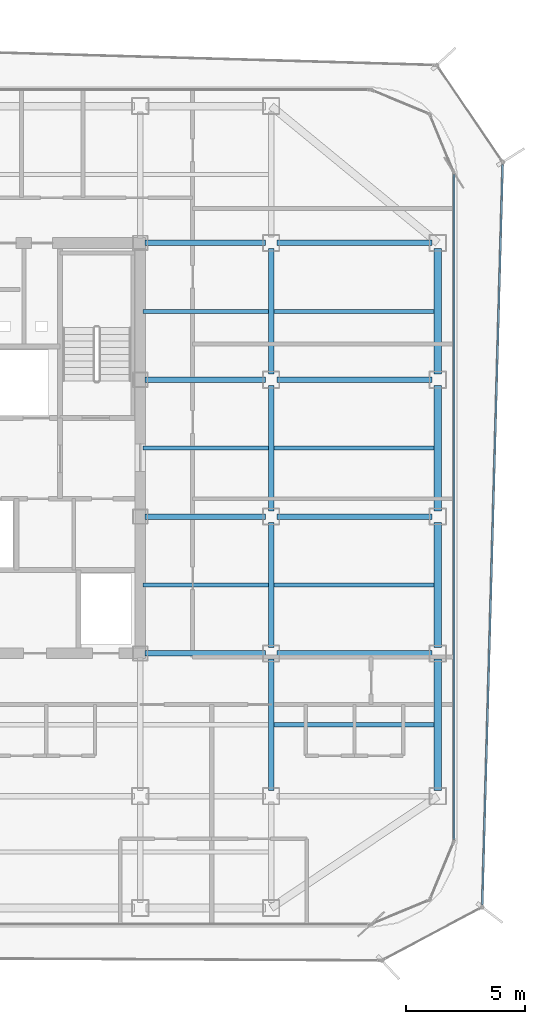
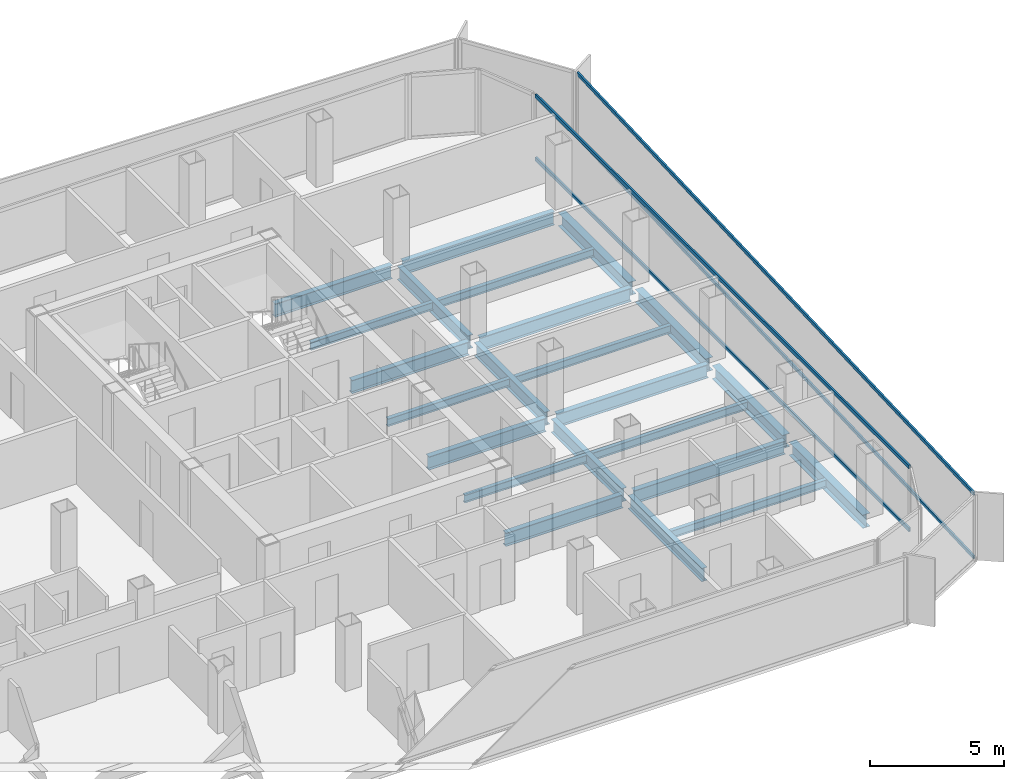
# One storey, part 5 of 16: 23 beams, 4 members, 2 elements without a shape of their own.
"""IFC4 building model written with IfcOpenShell, lengths in metres."""

import ifcopenshell
import ifcopenshell.guid

model = None  # the IFC model being written
_history = None  # IfcOwnerHistory: only IFC2X3 demands one
_inside = {}  # id of a spatial element -> (the spatial element, [elements in it])
_under = {}  # id of a project, library or spatial element -> (it, [spatial elements below it])
_declared = {}  # id of a project -> (the project, [libraries it declares])
_typed = {}  # id of a type object -> (the type object, [elements of that type])
_made_of = {}  # id of a material, layer set ... -> (it, [elements and type objects made of it])


def new_model(schema):
    """Start an empty IFC model of exactly this schema.

    Asked for "IFC4X3", IfcOpenShell would pick the latest addendum, in which some entities
    have other attributes; the version numbers below select the first issue.
    IFC2X3 requires an IfcOwnerHistory on every rooted entity: one is made here for all.
    """
    global model, _history
    if schema == "IFC4X3":
        model = ifcopenshell.file(schema_version=(4, 3, 0, 0))
    else:
        model = ifcopenshell.file(schema=schema)
    _inside.clear()
    _under.clear()
    _declared.clear()
    _typed.clear()
    _made_of.clear()
    _history = None
    if model.schema == "IFC2X3":
        org = make("IfcOrganization", Name="unknown")
        user = make(
            "IfcPersonAndOrganization",
            ThePerson=make("IfcPerson", FamilyName="unknown"),
            TheOrganization=org,
        )
        app = make(
            "IfcApplication",
            ApplicationDeveloper=org,
            Version="unknown",
            ApplicationFullName="unknown",
            ApplicationIdentifier="unknown",
        )
        _history = make(
            "IfcOwnerHistory",
            OwningUser=user,
            OwningApplication=app,
            ChangeAction="ADDED",
            CreationDate=0,
        )
    return model


def make(cls, **values):
    """One entity of the class cls with the attributes given. An attribute that is None is left unset."""
    return model.create_entity(
        cls, **{name: value for name, value in values.items() if value is not None}
    )


def rooted(cls, **values):
    """An entity with a GlobalId (a new one), such as an element, a storey or a relation."""
    return make(cls, GlobalId=ifcopenshell.guid.new(), OwnerHistory=_history, **values)


def si_unit(unit_type, name, prefix=None):
    """IfcSIUnit, for example si_unit("LENGTHUNIT", "METRE", prefix="MILLI")."""
    return make("IfcSIUnit", UnitType=unit_type, Prefix=prefix, Name=name)


def assignment(units):
    """IfcUnitAssignment: the units of a project."""
    return None if units is None else make("IfcUnitAssignment", Units=units)


def point(xyz):
    """IfcCartesianPoint."""
    return None if xyz is None else make("IfcCartesianPoint", Coordinates=xyz)


def direction(xyz):
    """IfcDirection."""
    return None if xyz is None else make("IfcDirection", DirectionRatios=xyz)


def frame(location, z_axis=None, x_axis=None):
    """IfcAxis2Placement3D, a coordinate frame: its origin and axes. An axis left out is left unset."""
    return make(
        "IfcAxis2Placement3D",
        Location=point(location),
        Axis=direction(z_axis),
        RefDirection=direction(x_axis),
    )


def frame_2d(location, x_axis=None):
    """IfcAxis2Placement2D, a coordinate frame in the plane: its origin and x axis."""
    return make(
        "IfcAxis2Placement2D", Location=point(location), RefDirection=direction(x_axis)
    )


def origin():
    """The frame at (0, 0, 0) with its axes left unset."""
    return frame((0.0, 0.0, 0.0))


def origin_2d():
    """The frame at (0, 0) in the plane with its x axis left unset."""
    return frame_2d((0.0, 0.0))


def place(relative_to, where):
    """IfcLocalPlacement: puts the frame where relative to a parent placement (None: the world)."""
    return make(
        "IfcLocalPlacement", PlacementRelTo=relative_to, RelativePlacement=where
    )


def context(
    kind, dimensions, precision=None, world=None, true_north=None, identifier=None
):
    """IfcGeometricRepresentationContext, for example the 3D "Model" context."""
    return make(
        "IfcGeometricRepresentationContext",
        ContextIdentifier=identifier,
        ContextType=kind,
        CoordinateSpaceDimension=dimensions,
        Precision=precision,
        WorldCoordinateSystem=world,
        TrueNorth=true_north,
    )


def subcontext(parent, identifier, kind, view, scale=None):
    """IfcGeometricRepresentationSubContext, for example "Body" below "Model"."""
    return make(
        "IfcGeometricRepresentationSubContext",
        ContextIdentifier=identifier,
        ContextType=kind,
        ParentContext=parent,
        TargetScale=scale,
        TargetView=view,
    )


def project(units=None, contexts=None):
    """IfcProject with its units and contexts."""
    return rooted(
        "IfcProject",
        Name="project",
        RepresentationContexts=contexts,
        UnitsInContext=assignment(units),
    )


def spatial(cls, under=None, at=None, **own):
    """A site, building, storey or space (cls), placed at a placement, below another one or the project."""
    s = rooted(cls, ObjectPlacement=at, **own)
    if under is not None:
        _under.setdefault(under.id(), (under, []))[1].append(s)
    return s


def profile(cls, at=None, kind="AREA", **sizes):
    """A parametric profile (cls). Its sizes go by their IFC names, for example OverallWidth=200.0."""
    return make(cls, ProfileType=kind, Position=at, **sizes)


def hollow_rectangle(**sizes):
    """IfcRectangleHollowProfileDef."""
    return profile("IfcRectangleHollowProfileDef", **sizes)


def i_section(**sizes):
    """IfcIShapeProfileDef."""
    return profile("IfcIShapeProfileDef", **sizes)


def extrude(swept, where, along, depth):
    """IfcExtrudedAreaSolid: the profile swept, set in the frame where, extruded along a direction by depth."""
    return make(
        "IfcExtrudedAreaSolid",
        SweptArea=swept,
        Position=where,
        ExtrudedDirection=direction(along),
        Depth=depth,
    )


def shape(context_of_items, identifier, shape_type, items):
    """IfcShapeRepresentation: the items that make up one representation, for example the "Body"."""
    return make(
        "IfcShapeRepresentation",
        ContextOfItems=context_of_items,
        RepresentationIdentifier=identifier,
        RepresentationType=shape_type,
        Items=items,
    )


def source(mapping_origin, context_of_items, identifier, shape_type, items):
    """IfcRepresentationMap: a shape defined once, which mapped items show again and again."""
    return make(
        "IfcRepresentationMap",
        MappingOrigin=mapping_origin,
        MappedRepresentation=shape(context_of_items, identifier, shape_type, items),
    )


def transform(
    local_origin,
    x_axis=None,
    y_axis=None,
    z_axis=None,
    scale=None,
    scale2=None,
    scale3=None,
    uniform=True,
):
    """IfcCartesianTransformationOperator3D, or its non-uniform kind. x_axis, y_axis, z_axis: its Axis1, 2, 3."""
    if uniform:
        return make(
            "IfcCartesianTransformationOperator3D",
            Axis1=direction(x_axis),
            Axis2=direction(y_axis),
            LocalOrigin=point(local_origin),
            Scale=scale,
            Axis3=direction(z_axis),
        )
    return make(
        "IfcCartesianTransformationOperator3DnonUniform",
        Axis1=direction(x_axis),
        Axis2=direction(y_axis),
        LocalOrigin=point(local_origin),
        Scale=scale,
        Axis3=direction(z_axis),
        Scale2=scale2,
        Scale3=scale3,
    )


def mapped(mapping_source, mapping_target):
    """IfcMappedItem: shows the shape of a source again, moved by a transform."""
    return make(
        "IfcMappedItem", MappingSource=mapping_source, MappingTarget=mapping_target
    )


def material(Name=None, Category=None):
    """IfcMaterial."""
    return make("IfcMaterial", Name=Name, Category=Category)


def layer(
    of_material, thickness, ventilated=None, Name=None, Category=None, Priority=None
):
    """IfcMaterialLayer: one layer of a wall or slab, of a material (None: an air gap)."""
    return make(
        "IfcMaterialLayer",
        Material=of_material,
        LayerThickness=thickness,
        IsVentilated=ventilated,
        Name=Name,
        Category=Category,
        Priority=Priority,
    )


def layer_set(layers, Name=None):
    """IfcMaterialLayerSet."""
    return make("IfcMaterialLayerSet", MaterialLayers=layers, LayerSetName=Name)


def material_profile(
    of_material, cross_section, Name=None, Category=None, Priority=None
):
    """IfcMaterialProfile: a cross section and its material."""
    return make(
        "IfcMaterialProfile",
        Name=Name,
        Material=of_material,
        Profile=cross_section,
        Priority=Priority,
        Category=Category,
    )


def profile_set(profiles, Name=None, composite=None):
    """IfcMaterialProfileSet."""
    return make(
        "IfcMaterialProfileSet",
        Name=Name,
        MaterialProfiles=profiles,
        CompositeProfile=composite,
    )


def made_of(thing, what):
    """Note that an element or type object is made of a material, layer set ...; save() writes the relation."""
    if what is not None:
        _made_of.setdefault(what.id(), (what, []))[1].append(thing)
    return thing


def type_object(cls, material=None, **own):
    """A type object (cls), such as IfcWallType, which elements share."""
    return made_of(rooted(cls, **own), material)


def element(
    cls,
    number,
    at=None,
    inside=None,
    cuts=None,
    type_object=None,
    material=None,
    context=None,
    identifier="Body",
    shape_type=None,
    held_by="IfcProductDefinitionShape",
    body=None,
    shapes=None,
    **own,
):
    """One element of the class cls, such as IfcWall. Its Tag is "e" and its number.

    at: its placement. inside: the storey or other place that contains it. cuts: it is an
    opening in that element (IfcRelVoidsElement). A single representation is given by context,
    identifier, shape_type and body (its items); several are given by shapes. held_by: the class
    of the entity that holds the representations. save() writes the other relations.
    """
    e = rooted(cls, Tag="e%d" % number, ObjectPlacement=at, **own)
    if body is not None:
        shapes = [shape(context, identifier, shape_type, body)]
    if shapes is not None:
        e.Representation = make(held_by, Representations=shapes)
    if inside is not None:
        _inside.setdefault(inside.id(), (inside, []))[1].append(e)
    if cuts is not None:
        rooted(
            "IfcRelVoidsElement", RelatingBuildingElement=cuts, RelatedOpeningElement=e
        )
    if type_object is not None:
        _typed.setdefault(type_object.id(), (type_object, []))[1].append(e)
    return made_of(e, material)


def aggregate(whole, parts):
    """IfcRelAggregates: a whole, such as a stair, and the parts it consists of."""
    return rooted("IfcRelAggregates", RelatingObject=whole, RelatedObjects=parts)


def save(model, path):
    """Write the relations noted so far, then the file.

    IfcRelAggregates (storeys below a building ...), IfcRelContainedInSpatialStructure (elements
    in a storey), IfcRelDefinesByType, IfcRelAssociatesMaterial and IfcRelDeclares: one each for
    every whole, place, type object, material and project.
    """
    for whole, parts in _under.values():
        aggregate(whole, parts)
    for where, things in _inside.values():
        rooted(
            "IfcRelContainedInSpatialStructure",
            RelatedElements=things,
            RelatingStructure=where,
        )
    for kind, things in _typed.values():
        rooted("IfcRelDefinesByType", RelatedObjects=things, RelatingType=kind)
    for what, things in _made_of.values():
        rooted("IfcRelAssociatesMaterial", RelatedObjects=things, RelatingMaterial=what)
    for by, libraries in _declared.values():
        rooted("IfcRelDeclares", RelatingContext=by, RelatedDefinitions=libraries)
    model.write(path)


model = new_model("IFC4")

# Units and contexts
model_context = context("Model", 3, precision=1e-05, world=origin(), true_north=direction((0.0, 1.0)))
body_context = subcontext(model_context, "Body", "Model", "MODEL_VIEW")
ifc_project = project(units=[si_unit("LENGTHUNIT", "METRE"), si_unit("AREAUNIT", "SQUARE_METRE"), si_unit("VOLUMEUNIT", "CUBIC_METRE"), si_unit("PLANEANGLEUNIT", "RADIAN"), si_unit("MASSUNIT", "GRAM", prefix="KILO")], contexts=[model_context])

# Site, building, storey
site_placement = place(None, origin())
site = spatial("IfcSite", under=ifc_project, at=site_placement, CompositionType="ELEMENT")
building_placement = place(site_placement, origin())
building = spatial("IfcBuilding", under=site, at=building_placement, Name="Kolveth Station Tower", CompositionType="ELEMENT")
storey_placement = place(building_placement, frame((0.0, 0.0, 209.199951171875)))
storey = spatial("IfcBuildingStorey", under=building, at=storey_placement, Name="L59", CompositionType="ELEMENT", Elevation=209.199951171875)

# Beams
ifc_material_1 = material(Name="Steel S355", Category="steel")
ifc_material_profile_1 = material_profile(ifc_material_1, i_section(OverallWidth=0.323974609375, OverallDepth=0.611083984375, WebThickness=0.0126953125, FlangeThickness=0.01904296875, at=origin_2d()), Name="W610x155")
ifc_profile_set_1 = profile_set([ifc_material_profile_1], Name="Steel S355")
beam_type_1 = type_object("IfcBeamType", Name="Beam_SP2", PredefinedType="SPANDREL", material=ifc_profile_set_1)
shared_shape_1 = source(origin(), body_context, "Body", "SweptSolid", [
    extrude(i_section(OverallWidth=0.323974609375, OverallDepth=0.611083984375, WebThickness=0.0126953125, FlangeThickness=0.01904296875, at=origin_2d()), origin(), (0.0, 0.0, 1.0), 5.52001953125),
])
beam_1_placement = place(storey_placement, frame((41.0, 5.739990234375, -0.555419921875), z_axis=(0.0, 1.0, 0.0), x_axis=(-1.0, 0.0, 0.0)))
element("IfcBeam", 1, at=beam_1_placement, inside=storey, type_object=beam_type_1, Name="L59 Perimeter Spandrel BM-L59-PE-1", PredefinedType="SPANDREL", context=body_context, shape_type="MappedRepresentation", body=[
    mapped(shared_shape_1, transform((0.0, 0.0, 0.0), x_axis=(1.0, 0.0, 0.0), y_axis=(0.0, 1.0, 0.0), z_axis=(0.0, 0.0, 1.0), scale=1.0)),
])
shared_shape_2 = source(origin(), body_context, "Body", "SweptSolid", [
    extrude(i_section(OverallWidth=0.323974609375, OverallDepth=0.611083984375, WebThickness=0.0126953125, FlangeThickness=0.01904296875, at=origin_2d()), origin(), (0.0, 0.0, 1.0), 5.27001953125),
])
for number, where, z_axis, x_axis, name in (
    (2, (41.0, 11.739990234375, -0.555419921875), (0.0, 1.0, 0.0), (-1.0, 0.0, 0.0), "L59 Perimeter Spandrel BM-L59-PE-2"),
    (3, (41.0, 17.489990234375, -0.555419921875), (0.0, 1.0, 0.0), (-1.0, 0.0, 0.0), "L59 Perimeter Spandrel BM-L59-PE-3"),
    (4, (41.0, 23.239990234375, -0.555419921875), (0.0, 1.0, 0.0), (-1.0, 0.0, 0.0), "L59 Perimeter Spandrel BM-L59-PE-4"),
):
    element("IfcBeam", number, at=place(storey_placement, frame(where, z_axis=z_axis, x_axis=x_axis)), inside=storey, type_object=beam_type_1, Name=name, PredefinedType="SPANDREL", context=body_context, shape_type="MappedRepresentation", body=[
        mapped(shared_shape_2, transform((0.0, 0.0, 0.0), x_axis=(1.0, 0.0, 0.0), y_axis=(0.0, 1.0, 0.0), z_axis=(0.0, 0.0, 1.0), scale=1.0)),
    ])
ifc_material_profile_2 = material_profile(ifc_material_1, i_section(OverallWidth=0.22900390625, OverallDepth=0.612060546875, WebThickness=0.011962890625, FlangeThickness=0.01953125, at=origin_2d()), Name="W610x125")
ifc_profile_set_2 = profile_set([ifc_material_profile_2], Name="Steel S355")
beam_type_2 = type_object("IfcBeamType", Name="Beam_B5", PredefinedType="BEAM", material=ifc_profile_set_2)
shared_shape_3 = source(origin(), body_context, "Body", "SweptSolid", [
    extrude(i_section(OverallWidth=0.22900390625, OverallDepth=0.612060546875, WebThickness=0.011962890625, FlangeThickness=0.01953125, at=origin_2d()), origin(), (0.0, 0.0, 1.0), 6.52001953125),
])
for number, where, z_axis, x_axis, name in (
    (5, (34.239990234375, 11.5, -0.555908203125), (1.0, 0.0, 0.0), (0.0, 1.0, 0.0), "L59 Primary Girder BM-L59-GY115-6"),
    (6, (34.239990234375, 17.25, -0.555908203125), (1.0, 0.0, 0.0), (0.0, 1.0, 0.0), "L59 Primary Girder BM-L59-GY172-6"),
    (7, (34.239990234375, 23.0, -0.555908203125), (1.0, 0.0, 0.0), (0.0, 1.0, 0.0), "L59 Primary Girder BM-L59-GY230-6"),
    (8, (34.239990234375, 28.75, -0.555908203125), (1.0, 0.0, 0.0), (0.0, 1.0, 0.0), "L59 Primary Girder BM-L59-GY287-6"),
):
    element("IfcBeam", number, at=place(storey_placement, frame(where, z_axis=z_axis, x_axis=x_axis)), inside=storey, type_object=beam_type_2, Name=name, PredefinedType="BEAM", context=body_context, shape_type="MappedRepresentation", body=[
        mapped(shared_shape_3, transform((0.0, 0.0, 0.0), x_axis=(1.0, 0.0, 0.0), y_axis=(0.0, 1.0, 0.0), z_axis=(0.0, 0.0, 1.0), scale=1.0)),
    ])
shared_shape_4 = source(origin(), body_context, "Body", "SweptSolid", [
    extrude(i_section(OverallWidth=0.22900390625, OverallDepth=0.612060546875, WebThickness=0.011962890625, FlangeThickness=0.01953125, at=origin_2d()), origin(), (0.0, 0.0, 1.0), 5.06005859375),
])
for number, where, z_axis, x_axis, name in (
    (9, (28.699951171875, 11.5, -0.555908203125), (1.0, 0.0, 0.0), (0.0, 1.0, 0.0), "L59 Primary Girder BM-L59-GY115-5"),
    (10, (28.699951171875, 17.25, -0.555908203125), (1.0, 0.0, 0.0), (0.0, 1.0, 0.0), "L59 Primary Girder BM-L59-GY172-5"),
    (11, (28.699951171875, 23.0, -0.555908203125), (1.0, 0.0, 0.0), (0.0, 1.0, 0.0), "L59 Primary Girder BM-L59-GY230-5"),
    (12, (28.699951171875, 28.75, -0.555908203125), (1.0, 0.0, 0.0), (0.0, 1.0, 0.0), "L59 Primary Girder BM-L59-GY287-5"),
):
    element("IfcBeam", number, at=place(storey_placement, frame(where, z_axis=z_axis, x_axis=x_axis)), inside=storey, type_object=beam_type_2, Name=name, PredefinedType="BEAM", context=body_context, shape_type="MappedRepresentation", body=[
        mapped(shared_shape_4, transform((0.0, 0.0, 0.0), x_axis=(1.0, 0.0, 0.0), y_axis=(0.0, 1.0, 0.0), z_axis=(0.0, 0.0, 1.0), scale=1.0)),
    ])
shared_shape_5 = source(origin(), body_context, "Body", "SweptSolid", [
    extrude(i_section(OverallWidth=0.22900390625, OverallDepth=0.612060546875, WebThickness=0.011962890625, FlangeThickness=0.01953125, at=origin_2d()), origin(), (0.0, 0.0, 1.0), 5.52001953125),
])
beam_2_placement = place(storey_placement, frame((34.0, 5.739990234375, -0.555908203125), z_axis=(0.0, 1.0, 0.0), x_axis=(-1.0, 0.0, 0.0)))
element("IfcBeam", 13, at=beam_2_placement, inside=storey, type_object=beam_type_2, Name="L59 Primary Girder BM-L59-GX340-2", PredefinedType="BEAM", context=body_context, shape_type="MappedRepresentation", body=[
    mapped(shared_shape_5, transform((0.0, 0.0, 0.0), x_axis=(1.0, 0.0, 0.0), y_axis=(0.0, 1.0, 0.0), z_axis=(0.0, 0.0, 1.0), scale=1.0)),
])
shared_shape_6 = source(origin(), body_context, "Body", "SweptSolid", [
    extrude(i_section(OverallWidth=0.22900390625, OverallDepth=0.612060546875, WebThickness=0.011962890625, FlangeThickness=0.01953125, at=origin_2d()), origin(), (0.0, 0.0, 1.0), 5.27001953125),
])
for number, where, z_axis, x_axis, name in (
    (14, (34.0, 11.739990234375, -0.555908203125), (0.0, 1.0, 0.0), (-1.0, 0.0, 0.0), "L59 Primary Girder BM-L59-GX340-3"),
    (15, (34.0, 17.489990234375, -0.555908203125), (0.0, 1.0, 0.0), (-1.0, 0.0, 0.0), "L59 Primary Girder BM-L59-GX340-4"),
    (16, (34.0, 23.239990234375, -0.555908203125), (0.0, 1.0, 0.0), (-1.0, 0.0, 0.0), "L59 Primary Girder BM-L59-GX340-5"),
):
    element("IfcBeam", number, at=place(storey_placement, frame(where, z_axis=z_axis, x_axis=x_axis)), inside=storey, type_object=beam_type_2, Name=name, PredefinedType="BEAM", context=body_context, shape_type="MappedRepresentation", body=[
        mapped(shared_shape_6, transform((0.0, 0.0, 0.0), x_axis=(1.0, 0.0, 0.0), y_axis=(0.0, 1.0, 0.0), z_axis=(0.0, 0.0, 1.0), scale=1.0)),
    ])
ifc_material_profile_3 = material_profile(ifc_material_1, i_section(OverallWidth=0.1708984375, OverallDepth=0.35205078125, WebThickness=0.0068359375, FlangeThickness=0.009765625, at=origin_2d()), Name="W360x44")
ifc_profile_set_3 = profile_set([ifc_material_profile_3], Name="Steel S355")
beam_type_3 = type_object("IfcBeamType", Name="Beam_J2", PredefinedType="JOIST", material=ifc_profile_set_3)
shared_shape_7 = source(origin(), body_context, "Body", "SweptSolid", [
    extrude(i_section(OverallWidth=0.1708984375, OverallDepth=0.35205078125, WebThickness=0.0068359375, FlangeThickness=0.009765625, at=origin_2d()), origin(), (0.0, 0.0, 1.0), 5.27490234375),
])
for number, where, z_axis, x_axis, name in (
    (17, (28.612548828125, 14.375, -0.426025390625), (1.0, 0.0, 0.0), (0.0, 1.0, 0.0), "L59 Secondary Joist JST-L59-5-3"),
    (18, (28.612548828125, 20.125, -0.426025390625), (1.0, 0.0, 0.0), (0.0, 1.0, 0.0), "L59 Secondary Joist JST-L59-5-4"),
    (19, (28.612548828125, 25.875, -0.426025390625), (1.0, 0.0, 0.0), (0.0, 1.0, 0.0), "L59 Secondary Joist JST-L59-5-5"),
):
    element("IfcBeam", number, at=place(storey_placement, frame(where, z_axis=z_axis, x_axis=x_axis)), inside=storey, type_object=beam_type_3, Name=name, PredefinedType="JOIST", context=body_context, shape_type="MappedRepresentation", body=[
        mapped(shared_shape_7, transform((0.0, 0.0, 0.0), x_axis=(1.0, 0.0, 0.0), y_axis=(0.0, 1.0, 0.0), z_axis=(0.0, 0.0, 1.0), scale=1.0)),
    ])
shared_shape_8 = source(origin(), body_context, "Body", "SweptSolid", [
    extrude(i_section(OverallWidth=0.1708984375, OverallDepth=0.35205078125, WebThickness=0.0068359375, FlangeThickness=0.009765625, at=origin_2d()), origin(), (0.0, 0.0, 1.0), 6.7275390625),
])
for number, where, z_axis, x_axis, name in (
    (20, (34.112548828125, 8.5, -0.426025390625), (1.0, 0.0, 0.0), (0.0, 1.0, 0.0), "L59 Secondary Joist JST-L59-6-2"),
    (21, (34.112548828125, 14.375, -0.426025390625), (1.0, 0.0, 0.0), (0.0, 1.0, 0.0), "L59 Secondary Joist JST-L59-6-3"),
    (22, (34.112548828125, 20.125, -0.426025390625), (1.0, 0.0, 0.0), (0.0, 1.0, 0.0), "L59 Secondary Joist JST-L59-6-4"),
    (23, (34.112548828125, 25.875, -0.426025390625), (1.0, 0.0, 0.0), (0.0, 1.0, 0.0), "L59 Secondary Joist JST-L59-6-5"),
):
    element("IfcBeam", number, at=place(storey_placement, frame(where, z_axis=z_axis, x_axis=x_axis)), inside=storey, type_object=beam_type_3, Name=name, PredefinedType="JOIST", context=body_context, shape_type="MappedRepresentation", body=[
        mapped(shared_shape_8, transform((0.0, 0.0, 0.0), x_axis=(1.0, 0.0, 0.0), y_axis=(0.0, 1.0, 0.0), z_axis=(0.0, 0.0, 1.0), scale=1.0)),
    ])

# Curtain wall, members
ifc_material_2 = material(Name="Aluminium 6063-T6 and low-E dark glass", Category="aluminium")
ifc_layer_1 = layer(ifc_material_2, 0.18994140625)
ifc_layer_set_1 = layer_set([ifc_layer_1], Name="Aluminium 6063-T6 and low-E dark glass")
curtain_wall_type_1 = type_object("IfcCurtainWallType", Name="CurtainWall_CW-Z2", PredefinedType="NOTDEFINED", material=ifc_layer_set_1)
curtain_wall_1_placement = place(storey_placement, origin())
curtain_wall_1 = element("IfcCurtainWall", 24, at=curtain_wall_1_placement, inside=storey, type_object=curtain_wall_type_1, Name="L59 Inner Thermal Curtain Wall 3", PredefinedType="NOTDEFINED")
ifc_material_3 = material(Name="Black anodized aluminium 6063-T6", Category="aluminium")
ifc_material_profile_4 = material_profile(ifc_material_3, hollow_rectangle(XDim=0.080078125, YDim=0.169921875, WallThickness=0.0048828125, at=origin_2d()), Name="ALU-80x170x5")
ifc_profile_set_4 = profile_set([ifc_material_profile_4], Name="Black anodized aluminium 6063-T6")
member_type_1 = type_object("IfcMemberType", Name="Transom_TR2", PredefinedType="USERDEFINED", material=ifc_profile_set_4)
shared_shape_9 = source(origin(), body_context, "Body", "SweptSolid", [
    extrude(hollow_rectangle(XDim=0.080078125, YDim=0.169921875, WallThickness=0.0048828125, at=origin_2d()), origin(), (0.0, 0.0, 1.0), 27.940185546875),
])
member_1_placement = place(storey_placement, frame((41.679931640625, 3.679931640625, 0.0400390625), z_axis=(0.0, 1.0, 0.0), x_axis=(-1.0, 0.0, 0.0)))
member_1 = element("IfcMember", 25, at=member_1_placement, type_object=member_type_1, Name="CW-Z2 transom 1.1", ObjectType="TRANSOM", PredefinedType="USERDEFINED", context=body_context, shape_type="MappedRepresentation", body=[
    mapped(shared_shape_9, transform((0.0, 0.0, 0.0), x_axis=(1.0, 0.0, 0.0), y_axis=(0.0, 1.0, 0.0), z_axis=(0.0, 0.0, 1.0), scale=1.0)),
])
member_2_placement = place(storey_placement, frame((41.679931640625, 3.679931640625, 2.91015625), z_axis=(0.0, 1.0, 0.0), x_axis=(-1.0, 0.0, 0.0)))
member_2 = element("IfcMember", 26, at=member_2_placement, type_object=member_type_1, Name="CW-Z2 transom 1.2", ObjectType="TRANSOM", PredefinedType="USERDEFINED", context=body_context, shape_type="MappedRepresentation", body=[
    mapped(shared_shape_9, transform((0.0, 0.0, 0.0), x_axis=(1.0, 0.0, 0.0), y_axis=(0.0, 1.0, 0.0), z_axis=(0.0, 0.0, 1.0), scale=1.0)),
])
aggregate(curtain_wall_1, [member_1, member_2])

ifc_material_4 = material(Name="Black anodized aluminium 6063-T6 and dark solar glass", Category="aluminium")
ifc_layer_2 = layer(ifc_material_4, 0.159912109375)
ifc_layer_set_2 = layer_set([ifc_layer_2], Name="Black anodized aluminium 6063-T6 and dark solar glass")
curtain_wall_type_2 = type_object("IfcCurtainWallType", Name="OUTER SKIN CW-OS", PredefinedType="NOTDEFINED", material=ifc_layer_set_2)
curtain_wall_2_placement = place(storey_placement, origin())
curtain_wall_2 = element("IfcCurtainWall", 27, at=curtain_wall_2_placement, inside=storey, type_object=curtain_wall_type_2, Name="L59 Outer Ventilated Skin Curtain Wall 2", PredefinedType="NOTDEFINED")
ifc_material_profile_5 = material_profile(ifc_material_3, hollow_rectangle(XDim=0.080078125, YDim=0.14990234375, WallThickness=0.0048828125, at=origin_2d()), Name="ALU-80x150x5")
ifc_profile_set_5 = profile_set([ifc_material_profile_5], Name="Black anodized aluminium 6063-T6")
member_type_2 = type_object("IfcMemberType", Name="Transom_TR-OS", PredefinedType="USERDEFINED", material=ifc_profile_set_5)
shared_shape_10 = source(origin(), body_context, "Body", "SweptSolid", [
    extrude(hollow_rectangle(XDim=0.080078125, YDim=0.14990234375, WallThickness=0.0048828125, at=origin_2d()), origin(), (0.0, 0.0, 1.0), 31.139892578125),
])
member_3_placement = place(storey_placement, frame((42.87158203125, 0.92724609375, 0.0400390625), z_axis=(0.027550106816, 0.999620423768, 0.0), x_axis=(-0.999620423768, 0.027550106816, 0.0)))
member_3 = element("IfcMember", 28, at=member_3_placement, type_object=member_type_2, Name="CW-OS transom 1.1", ObjectType="TRANSOM", PredefinedType="USERDEFINED", context=body_context, shape_type="MappedRepresentation", body=[
    mapped(shared_shape_10, transform((0.0, 0.0, 0.0), x_axis=(1.0, 0.0, 0.0), y_axis=(0.0, 1.0, 0.0), z_axis=(0.0, 0.0, 1.0), scale=1.0)),
])
member_4_placement = place(storey_placement, frame((42.87158203125, 0.92724609375, 2.949951171875), z_axis=(0.027550106816, 0.999620423768, 0.0), x_axis=(-0.999620423768, 0.027550106816, 0.0)))
member_4 = element("IfcMember", 29, at=member_4_placement, type_object=member_type_2, Name="CW-OS transom 1.2", ObjectType="TRANSOM", PredefinedType="USERDEFINED", context=body_context, shape_type="MappedRepresentation", body=[
    mapped(shared_shape_10, transform((0.0, 0.0, 0.0), x_axis=(1.0, 0.0, 0.0), y_axis=(0.0, 1.0, 0.0), z_axis=(0.0, 0.0, 1.0), scale=1.0)),
])
aggregate(curtain_wall_2, [member_3, member_4])

save(model, "model.ifc")
